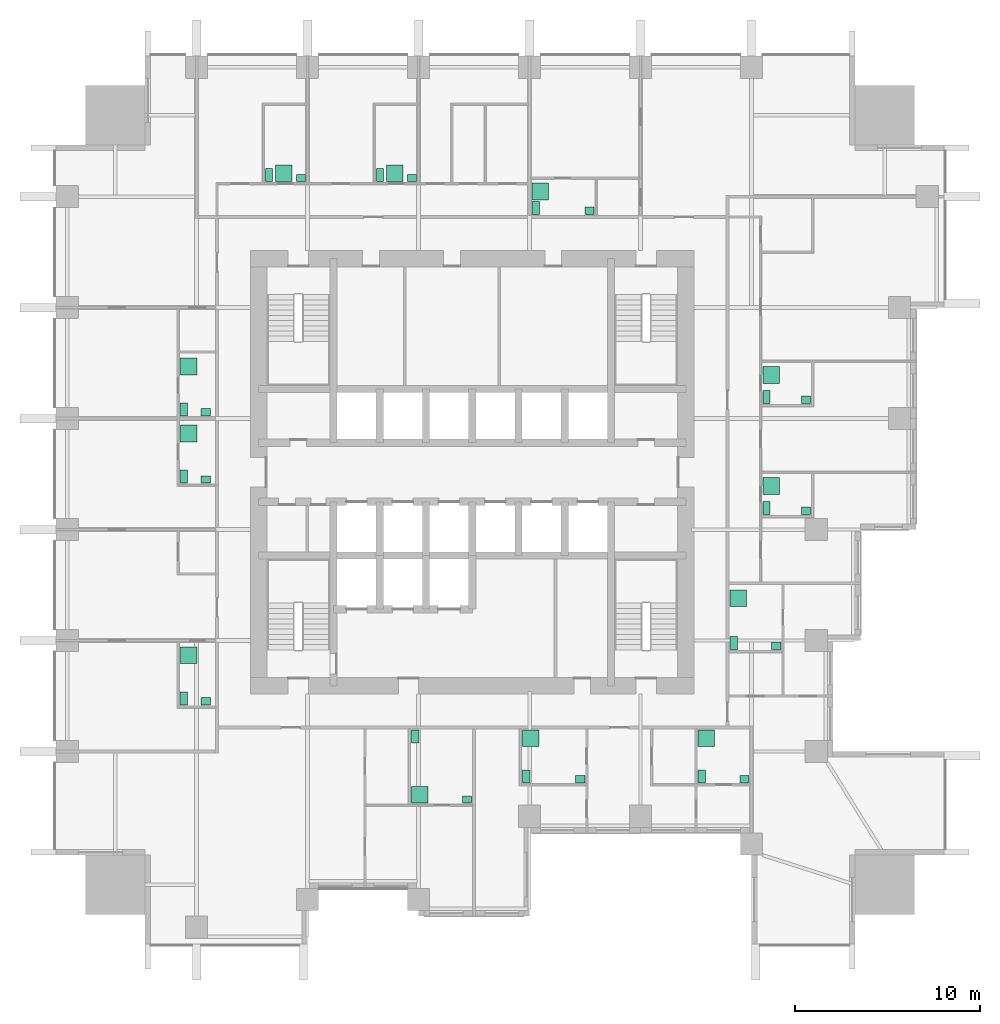
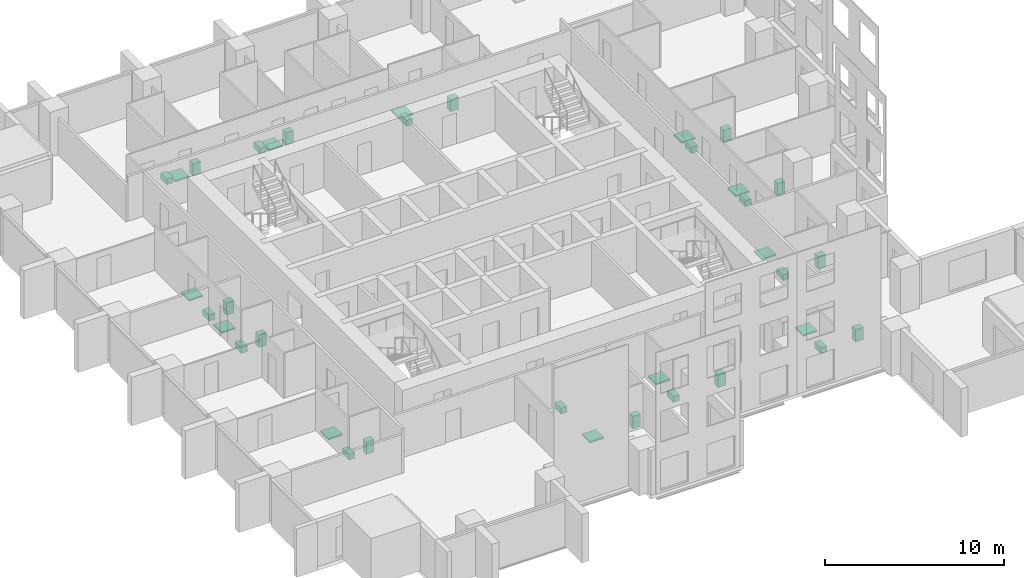
# One storey, part 11 of 11: 36 sanitary terminals.
"""IFC4 building model written with IfcOpenShell, lengths in metres."""

from ifc_helpers import new_model, si_unit, direction, frame, origin, origin_2d, place, context, subcontext, project, spatial, rectangle, extrude, element, save


model = new_model("IFC4")

# Units and contexts
model_context = context("Model", 3, precision=1e-05, world=origin(), true_north=direction((0.0, 1.0)))
body_context = subcontext(model_context, "Body", "Model", "MODEL_VIEW")
ifc_project = project(units=[si_unit("LENGTHUNIT", "METRE"), si_unit("AREAUNIT", "SQUARE_METRE"), si_unit("VOLUMEUNIT", "CUBIC_METRE"), si_unit("PLANEANGLEUNIT", "RADIAN"), si_unit("MASSUNIT", "GRAM", prefix="KILO")], contexts=[model_context])

# Site, building, storey
site_placement = place(None, origin())
site = spatial("IfcSite", under=ifc_project, at=site_placement, CompositionType="ELEMENT")
building_placement = place(site_placement, origin())
building = spatial("IfcBuilding", under=site, at=building_placement, Name="Amberfall Residences", CompositionType="ELEMENT")
storey_placement = place(building_placement, frame((0.0, 0.0, 43.300048828125)))
storey = spatial("IfcBuildingStorey", under=building, at=storey_placement, Name="L11", CompositionType="ELEMENT", Elevation=43.300048828125)

# Sanitary terminals
sanitary_terminal_1_placement = place(storey_placement, frame((71.409912109375, 31.215087890625, 0.0), z_axis=(0.0, 0.0, 1.0), x_axis=(1.0, 0.0, 0.0)))
element("IfcSanitaryTerminal", 1, at=sanitary_terminal_1_placement, inside=storey, Name="Water closet 1101", PredefinedType="TOILETPAN", context=body_context, shape_type="SweptSolid", body=[
    extrude(rectangle(XDim=0.39990234375, YDim=0.699951171875, at=origin_2d()), origin(), (0.0, 0.0, 1.0), 0.39990234375),
])
sanitary_terminal_2_placement = place(storey_placement, frame((74.215087890625, 27.81005859375, 0.0), z_axis=(0.0, 0.0, 1.0), x_axis=(1.0, 0.0, 0.0)))
element("IfcSanitaryTerminal", 2, at=sanitary_terminal_2_placement, inside=storey, Name="Basin 1101", PredefinedType="WASHHANDBASIN", context=body_context, shape_type="SweptSolid", body=[
    extrude(rectangle(XDim=0.5, YDim=0.39990234375, at=origin_2d()), origin(), (0.0, 0.0, 1.0), 0.85009765625),
])
sanitary_terminal_3_placement = place(storey_placement, frame((71.659912109375, 28.06005859375, 0.0), z_axis=(0.0, 0.0, 1.0), x_axis=(1.0, 0.0, 0.0)))
element("IfcSanitaryTerminal", 3, at=sanitary_terminal_3_placement, inside=storey, Name="Shower tray 1101", PredefinedType="SHOWER", context=body_context, shape_type="SweptSolid", body=[
    extrude(rectangle(XDim=0.89990234375, YDim=0.89990234375, at=origin_2d()), origin(), (0.0, 0.0, 1.0), 0.10009765625),
])
sanitary_terminal_4_placement = place(storey_placement, frame((77.409912109375, 29.06005859375, 0.0), z_axis=(0.0, 0.0, 1.0), x_axis=(1.0, 0.0, 0.0)))
element("IfcSanitaryTerminal", 4, at=sanitary_terminal_4_placement, inside=storey, Name="Water closet 1102", PredefinedType="TOILETPAN", context=body_context, shape_type="SweptSolid", body=[
    extrude(rectangle(XDim=0.39990234375, YDim=0.699951171875, at=origin_2d()), origin(), (0.0, 0.0, 1.0), 0.39990234375),
])
sanitary_terminal_5_placement = place(storey_placement, frame((80.340087890625, 28.909912109375, 0.0), z_axis=(0.0, 0.0, 1.0), x_axis=(1.0, 0.0, 0.0)))
element("IfcSanitaryTerminal", 5, at=sanitary_terminal_5_placement, inside=storey, Name="Basin 1102", PredefinedType="WASHHANDBASIN", context=body_context, shape_type="SweptSolid", body=[
    extrude(rectangle(XDim=0.5, YDim=0.39990234375, at=origin_2d()), origin(), (0.0, 0.0, 1.0), 0.85009765625),
])
sanitary_terminal_6_placement = place(storey_placement, frame((77.659912109375, 31.114990234375, 0.0), z_axis=(0.0, 0.0, 1.0), x_axis=(1.0, 0.0, 0.0)))
element("IfcSanitaryTerminal", 6, at=sanitary_terminal_6_placement, inside=storey, Name="Shower tray 1102", PredefinedType="SHOWER", context=body_context, shape_type="SweptSolid", body=[
    extrude(rectangle(XDim=0.89990234375, YDim=0.89990234375, at=origin_2d()), origin(), (0.0, 0.0, 1.0), 0.10009765625),
])
sanitary_terminal_7_placement = place(storey_placement, frame((86.909912109375, 29.06005859375, 0.0), z_axis=(0.0, 0.0, 1.0), x_axis=(1.0, 0.0, 0.0)))
element("IfcSanitaryTerminal", 7, at=sanitary_terminal_7_placement, inside=storey, Name="Water closet 1102", PredefinedType="TOILETPAN", context=body_context, shape_type="SweptSolid", body=[
    extrude(rectangle(XDim=0.39990234375, YDim=0.699951171875, at=origin_2d()), origin(), (0.0, 0.0, 1.0), 0.39990234375),
])
sanitary_terminal_8_placement = place(storey_placement, frame((89.215087890625, 28.909912109375, 0.0), z_axis=(0.0, 0.0, 1.0), x_axis=(1.0, 0.0, 0.0)))
element("IfcSanitaryTerminal", 8, at=sanitary_terminal_8_placement, inside=storey, Name="Basin 1102", PredefinedType="WASHHANDBASIN", context=body_context, shape_type="SweptSolid", body=[
    extrude(rectangle(XDim=0.5, YDim=0.39990234375, at=origin_2d()), origin(), (0.0, 0.0, 1.0), 0.85009765625),
])
sanitary_terminal_9_placement = place(storey_placement, frame((87.159912109375, 31.114990234375, 0.0), z_axis=(0.0, 0.0, 1.0), x_axis=(1.0, 0.0, 0.0)))
element("IfcSanitaryTerminal", 9, at=sanitary_terminal_9_placement, inside=storey, Name="Shower tray 1102", PredefinedType="SHOWER", context=body_context, shape_type="SweptSolid", body=[
    extrude(rectangle(XDim=0.89990234375, YDim=0.89990234375, at=origin_2d()), origin(), (0.0, 0.0, 1.0), 0.10009765625),
])
sanitary_terminal_10_placement = place(storey_placement, frame((88.635009765625, 36.260009765625, 0.0), z_axis=(0.0, 0.0, 1.0), x_axis=(1.0, 0.0, 0.0)))
element("IfcSanitaryTerminal", 10, at=sanitary_terminal_10_placement, inside=storey, Name="Water closet 1103", PredefinedType="TOILETPAN", context=body_context, shape_type="SweptSolid", body=[
    extrude(rectangle(XDim=0.39990234375, YDim=0.699951171875, at=origin_2d()), origin(), (0.0, 0.0, 1.0), 0.39990234375),
])
sanitary_terminal_11_placement = place(storey_placement, frame((90.93994140625, 36.110107421875, 0.0), z_axis=(0.0, 0.0, 1.0), x_axis=(1.0, 0.0, 0.0)))
element("IfcSanitaryTerminal", 11, at=sanitary_terminal_11_placement, inside=storey, Name="Basin 1103", PredefinedType="WASHHANDBASIN", context=body_context, shape_type="SweptSolid", body=[
    extrude(rectangle(XDim=0.5, YDim=0.39990234375, at=origin_2d()), origin(), (0.0, 0.0, 1.0), 0.85009765625),
])
sanitary_terminal_12_placement = place(storey_placement, frame((88.885009765625, 38.6826171875, 0.0), z_axis=(0.0, 0.0, 1.0), x_axis=(1.0, 0.0, 0.0)))
element("IfcSanitaryTerminal", 12, at=sanitary_terminal_12_placement, inside=storey, Name="Shower tray 1103", PredefinedType="SHOWER", context=body_context, shape_type="SweptSolid", body=[
    extrude(rectangle(XDim=0.89990234375, YDim=0.89990234375, at=origin_2d()), origin(), (0.0, 0.0, 1.0), 0.10009765625),
])
sanitary_terminal_13_placement = place(storey_placement, frame((90.409912109375, 43.56005859375, 0.0), z_axis=(0.0, 0.0, 1.0), x_axis=(1.0, 0.0, 0.0)))
element("IfcSanitaryTerminal", 13, at=sanitary_terminal_13_placement, inside=storey, Name="Water closet 1104", PredefinedType="TOILETPAN", context=body_context, shape_type="SweptSolid", body=[
    extrude(rectangle(XDim=0.39990234375, YDim=0.699951171875, at=origin_2d()), origin(), (0.0, 0.0, 1.0), 0.39990234375),
])
sanitary_terminal_14_placement = place(storey_placement, frame((92.5400390625, 43.409912109375, 0.0), z_axis=(0.0, 0.0, 1.0), x_axis=(1.0, 0.0, 0.0)))
element("IfcSanitaryTerminal", 14, at=sanitary_terminal_14_placement, inside=storey, Name="Basin 1104", PredefinedType="WASHHANDBASIN", context=body_context, shape_type="SweptSolid", body=[
    extrude(rectangle(XDim=0.5, YDim=0.39990234375, at=origin_2d()), origin(), (0.0, 0.0, 1.0), 0.85009765625),
])
sanitary_terminal_15_placement = place(storey_placement, frame((90.659912109375, 44.757080078125, 0.0), z_axis=(0.0, 0.0, 1.0), x_axis=(1.0, 0.0, 0.0)))
element("IfcSanitaryTerminal", 15, at=sanitary_terminal_15_placement, inside=storey, Name="Shower tray 1104", PredefinedType="SHOWER", context=body_context, shape_type="SweptSolid", body=[
    extrude(rectangle(XDim=0.89990234375, YDim=0.89990234375, at=origin_2d()), origin(), (0.0, 0.0, 1.0), 0.10009765625),
])
sanitary_terminal_16_placement = place(storey_placement, frame((90.409912109375, 49.56005859375, 0.0), z_axis=(0.0, 0.0, 1.0), x_axis=(1.0, 0.0, 0.0)))
element("IfcSanitaryTerminal", 16, at=sanitary_terminal_16_placement, inside=storey, Name="Water closet 1104", PredefinedType="TOILETPAN", context=body_context, shape_type="SweptSolid", body=[
    extrude(rectangle(XDim=0.39990234375, YDim=0.699951171875, at=origin_2d()), origin(), (0.0, 0.0, 1.0), 0.39990234375),
])
sanitary_terminal_17_placement = place(storey_placement, frame((92.5400390625, 49.409912109375, 0.0), z_axis=(0.0, 0.0, 1.0), x_axis=(1.0, 0.0, 0.0)))
element("IfcSanitaryTerminal", 17, at=sanitary_terminal_17_placement, inside=storey, Name="Basin 1104", PredefinedType="WASHHANDBASIN", context=body_context, shape_type="SweptSolid", body=[
    extrude(rectangle(XDim=0.5, YDim=0.39990234375, at=origin_2d()), origin(), (0.0, 0.0, 1.0), 0.85009765625),
])
sanitary_terminal_18_placement = place(storey_placement, frame((90.659912109375, 50.757080078125, 0.0), z_axis=(0.0, 0.0, 1.0), x_axis=(1.0, 0.0, 0.0)))
element("IfcSanitaryTerminal", 18, at=sanitary_terminal_18_placement, inside=storey, Name="Shower tray 1104", PredefinedType="SHOWER", context=body_context, shape_type="SweptSolid", body=[
    extrude(rectangle(XDim=0.89990234375, YDim=0.89990234375, at=origin_2d()), origin(), (0.0, 0.0, 1.0), 0.10009765625),
])
sanitary_terminal_19_placement = place(storey_placement, frame((63.510009765625, 61.56005859375, 0.0), z_axis=(0.0, 0.0, 1.0), x_axis=(1.0, 0.0, 0.0)))
element("IfcSanitaryTerminal", 19, at=sanitary_terminal_19_placement, inside=storey, Name="Water closet 1105", PredefinedType="TOILETPAN", context=body_context, shape_type="SweptSolid", body=[
    extrude(rectangle(XDim=0.39990234375, YDim=0.699951171875, at=origin_2d()), origin(), (0.0, 0.0, 1.0), 0.39990234375),
])
sanitary_terminal_20_placement = place(storey_placement, frame((65.239990234375, 61.409912109375, 0.0), z_axis=(0.0, 0.0, 1.0), x_axis=(1.0, 0.0, 0.0)))
element("IfcSanitaryTerminal", 20, at=sanitary_terminal_20_placement, inside=storey, Name="Basin 1105", PredefinedType="WASHHANDBASIN", context=body_context, shape_type="SweptSolid", body=[
    extrude(rectangle(XDim=0.5, YDim=0.39990234375, at=origin_2d()), origin(), (0.0, 0.0, 1.0), 0.85009765625),
])
sanitary_terminal_21_placement = place(storey_placement, frame((64.30859375, 61.659912109375, 0.0), z_axis=(0.0, 0.0, 1.0), x_axis=(1.0, 0.0, 0.0)))
element("IfcSanitaryTerminal", 21, at=sanitary_terminal_21_placement, inside=storey, Name="Shower tray 1105", PredefinedType="SHOWER", context=body_context, shape_type="SweptSolid", body=[
    extrude(rectangle(XDim=0.89990234375, YDim=0.89990234375, at=origin_2d()), origin(), (0.0, 0.0, 1.0), 0.10009765625),
])
sanitary_terminal_22_placement = place(storey_placement, frame((69.510009765625, 61.56005859375, 0.0), z_axis=(0.0, 0.0, 1.0), x_axis=(1.0, 0.0, 0.0)))
element("IfcSanitaryTerminal", 22, at=sanitary_terminal_22_placement, inside=storey, Name="Water closet 1105", PredefinedType="TOILETPAN", context=body_context, shape_type="SweptSolid", body=[
    extrude(rectangle(XDim=0.39990234375, YDim=0.699951171875, at=origin_2d()), origin(), (0.0, 0.0, 1.0), 0.39990234375),
])
sanitary_terminal_23_placement = place(storey_placement, frame((71.239990234375, 61.409912109375, 0.0), z_axis=(0.0, 0.0, 1.0), x_axis=(1.0, 0.0, 0.0)))
element("IfcSanitaryTerminal", 23, at=sanitary_terminal_23_placement, inside=storey, Name="Basin 1105", PredefinedType="WASHHANDBASIN", context=body_context, shape_type="SweptSolid", body=[
    extrude(rectangle(XDim=0.5, YDim=0.39990234375, at=origin_2d()), origin(), (0.0, 0.0, 1.0), 0.85009765625),
])
sanitary_terminal_24_placement = place(storey_placement, frame((70.30859375, 61.659912109375, 0.0), z_axis=(0.0, 0.0, 1.0), x_axis=(1.0, 0.0, 0.0)))
element("IfcSanitaryTerminal", 24, at=sanitary_terminal_24_placement, inside=storey, Name="Shower tray 1105", PredefinedType="SHOWER", context=body_context, shape_type="SweptSolid", body=[
    extrude(rectangle(XDim=0.89990234375, YDim=0.89990234375, at=origin_2d()), origin(), (0.0, 0.0, 1.0), 0.10009765625),
])
sanitary_terminal_25_placement = place(storey_placement, frame((77.93505859375, 59.784912109375, 0.0), z_axis=(0.0, 0.0, 1.0), x_axis=(1.0, 0.0, 0.0)))
element("IfcSanitaryTerminal", 25, at=sanitary_terminal_25_placement, inside=storey, Name="Water closet 1106", PredefinedType="TOILETPAN", context=body_context, shape_type="SweptSolid", body=[
    extrude(rectangle(XDim=0.39990234375, YDim=0.699951171875, at=origin_2d()), origin(), (0.0, 0.0, 1.0), 0.39990234375),
])
sanitary_terminal_26_placement = place(storey_placement, frame((80.840087890625, 59.635009765625, 0.0), z_axis=(0.0, 0.0, 1.0), x_axis=(1.0, 0.0, 0.0)))
element("IfcSanitaryTerminal", 26, at=sanitary_terminal_26_placement, inside=storey, Name="Basin 1106", PredefinedType="WASHHANDBASIN", context=body_context, shape_type="SweptSolid", body=[
    extrude(rectangle(XDim=0.5, YDim=0.39990234375, at=origin_2d()), origin(), (0.0, 0.0, 1.0), 0.85009765625),
])
sanitary_terminal_27_placement = place(storey_placement, frame((78.18505859375, 60.680908203125, 0.0), z_axis=(0.0, 0.0, 1.0), x_axis=(1.0, 0.0, 0.0)))
element("IfcSanitaryTerminal", 27, at=sanitary_terminal_27_placement, inside=storey, Name="Shower tray 1106", PredefinedType="SHOWER", context=body_context, shape_type="SweptSolid", body=[
    extrude(rectangle(XDim=0.89990234375, YDim=0.89990234375, at=origin_2d()), origin(), (0.0, 0.0, 1.0), 0.10009765625),
])
sanitary_terminal_28_placement = place(storey_placement, frame((58.909912109375, 33.260009765625, 0.0), z_axis=(0.0, 0.0, 1.0), x_axis=(1.0, 0.0, 0.0)))
element("IfcSanitaryTerminal", 28, at=sanitary_terminal_28_placement, inside=storey, Name="Water closet 1107", PredefinedType="TOILETPAN", context=body_context, shape_type="SweptSolid", body=[
    extrude(rectangle(XDim=0.39990234375, YDim=0.699951171875, at=origin_2d()), origin(), (0.0, 0.0, 1.0), 0.39990234375),
])
sanitary_terminal_29_placement = place(storey_placement, frame((60.089111328125, 33.110107421875, 0.0), z_axis=(0.0, 0.0, 1.0), x_axis=(1.0, 0.0, 0.0)))
element("IfcSanitaryTerminal", 29, at=sanitary_terminal_29_placement, inside=storey, Name="Basin 1107", PredefinedType="WASHHANDBASIN", context=body_context, shape_type="SweptSolid", body=[
    extrude(rectangle(XDim=0.5, YDim=0.39990234375, at=origin_2d()), origin(), (0.0, 0.0, 1.0), 0.85009765625),
])
sanitary_terminal_30_placement = place(storey_placement, frame((59.159912109375, 35.614501953125, 0.0), z_axis=(0.0, 0.0, 1.0), x_axis=(1.0, 0.0, 0.0)))
element("IfcSanitaryTerminal", 30, at=sanitary_terminal_30_placement, inside=storey, Name="Shower tray 1107", PredefinedType="SHOWER", context=body_context, shape_type="SweptSolid", body=[
    extrude(rectangle(XDim=0.89990234375, YDim=0.89990234375, at=origin_2d()), origin(), (0.0, 0.0, 1.0), 0.10009765625),
])
sanitary_terminal_31_placement = place(storey_placement, frame((58.909912109375, 45.260009765625, 0.0), z_axis=(0.0, 0.0, 1.0), x_axis=(1.0, 0.0, 0.0)))
element("IfcSanitaryTerminal", 31, at=sanitary_terminal_31_placement, inside=storey, Name="Water closet 1107", PredefinedType="TOILETPAN", context=body_context, shape_type="SweptSolid", body=[
    extrude(rectangle(XDim=0.39990234375, YDim=0.699951171875, at=origin_2d()), origin(), (0.0, 0.0, 1.0), 0.39990234375),
])
sanitary_terminal_32_placement = place(storey_placement, frame((60.089111328125, 45.110107421875, 0.0), z_axis=(0.0, 0.0, 1.0), x_axis=(1.0, 0.0, 0.0)))
element("IfcSanitaryTerminal", 32, at=sanitary_terminal_32_placement, inside=storey, Name="Basin 1107", PredefinedType="WASHHANDBASIN", context=body_context, shape_type="SweptSolid", body=[
    extrude(rectangle(XDim=0.5, YDim=0.39990234375, at=origin_2d()), origin(), (0.0, 0.0, 1.0), 0.85009765625),
])
sanitary_terminal_33_placement = place(storey_placement, frame((59.159912109375, 47.591796875, 0.0), z_axis=(0.0, 0.0, 1.0), x_axis=(1.0, 0.0, 0.0)))
element("IfcSanitaryTerminal", 33, at=sanitary_terminal_33_placement, inside=storey, Name="Shower tray 1107", PredefinedType="SHOWER", context=body_context, shape_type="SweptSolid", body=[
    extrude(rectangle(XDim=0.89990234375, YDim=0.89990234375, at=origin_2d()), origin(), (0.0, 0.0, 1.0), 0.10009765625),
])
sanitary_terminal_34_placement = place(storey_placement, frame((58.909912109375, 48.885009765625, 0.0), z_axis=(0.0, 0.0, 1.0), x_axis=(1.0, 0.0, 0.0)))
element("IfcSanitaryTerminal", 34, at=sanitary_terminal_34_placement, inside=storey, Name="Water closet 1108", PredefinedType="TOILETPAN", context=body_context, shape_type="SweptSolid", body=[
    extrude(rectangle(XDim=0.39990234375, YDim=0.699951171875, at=origin_2d()), origin(), (0.0, 0.0, 1.0), 0.39990234375),
])
sanitary_terminal_35_placement = place(storey_placement, frame((60.089111328125, 48.735107421875, 0.0), z_axis=(0.0, 0.0, 1.0), x_axis=(1.0, 0.0, 0.0)))
element("IfcSanitaryTerminal", 35, at=sanitary_terminal_35_placement, inside=storey, Name="Basin 1108", PredefinedType="WASHHANDBASIN", context=body_context, shape_type="SweptSolid", body=[
    extrude(rectangle(XDim=0.5, YDim=0.39990234375, at=origin_2d()), origin(), (0.0, 0.0, 1.0), 0.85009765625),
])
sanitary_terminal_36_placement = place(storey_placement, frame((59.159912109375, 51.216796875, 0.0), z_axis=(0.0, 0.0, 1.0), x_axis=(1.0, 0.0, 0.0)))
element("IfcSanitaryTerminal", 36, at=sanitary_terminal_36_placement, inside=storey, Name="Shower tray 1108", PredefinedType="SHOWER", context=body_context, shape_type="SweptSolid", body=[
    extrude(rectangle(XDim=0.89990234375, YDim=0.89990234375, at=origin_2d()), origin(), (0.0, 0.0, 1.0), 0.10009765625),
])

save(model, "model.ifc")
